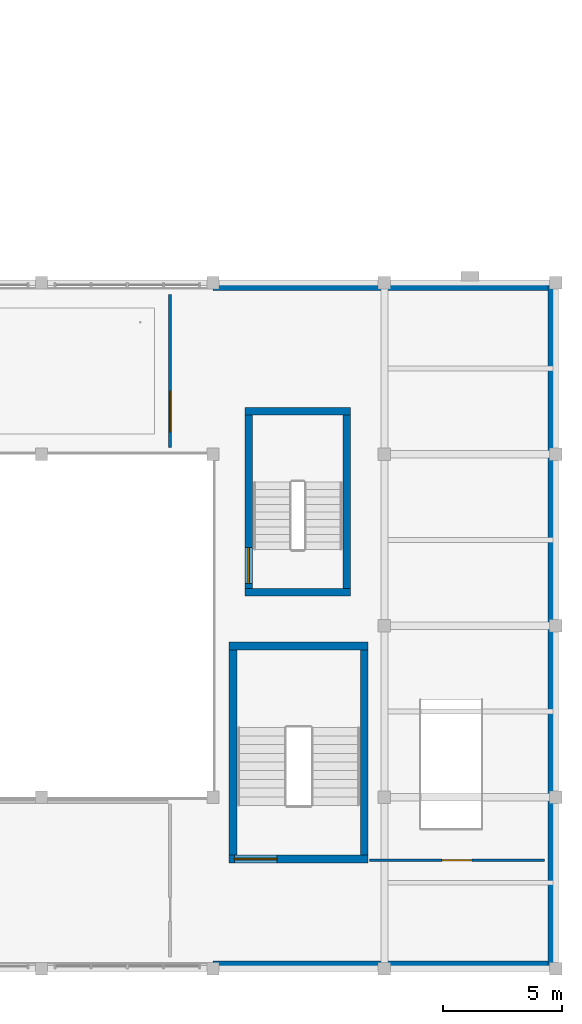
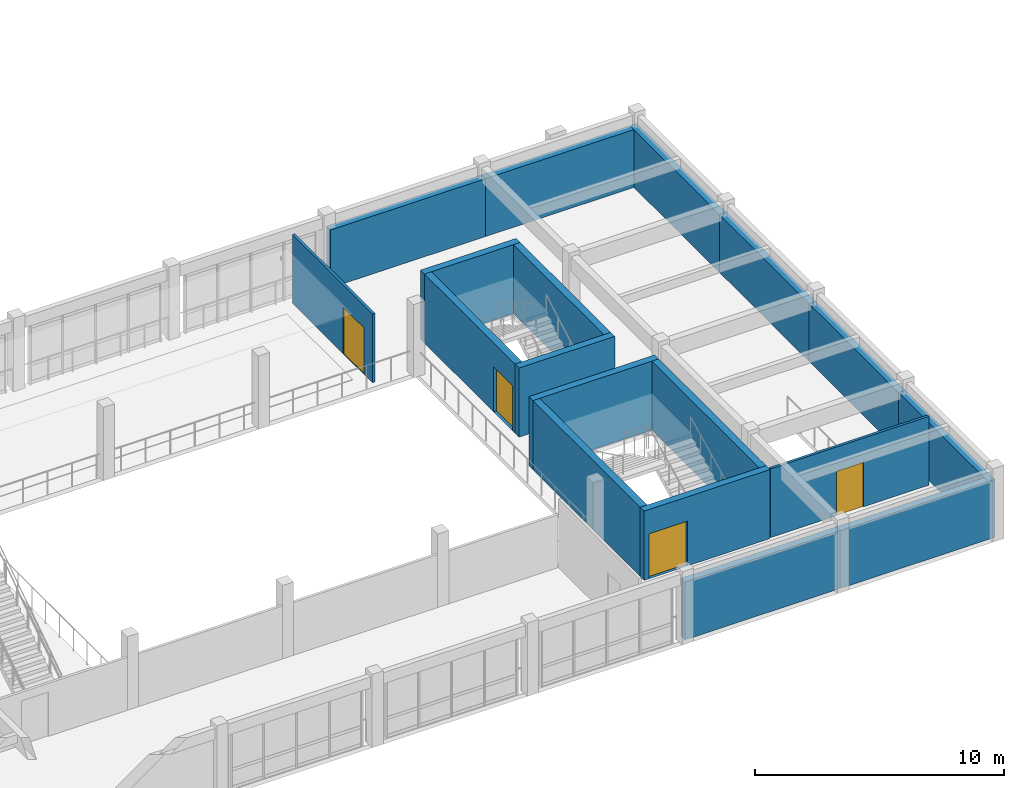
# One storey, part 53 of 99: 18 walls, 4 doors, 4 openings.
"""IFC4 building model written with IfcOpenShell, lengths in metres."""

from ifc_helpers import new_model, si_unit, direction, frame, frame_2d, origin, place, context, subcontext, project, spatial, rectangle, extrude, material, layer, layer_set, type_object, element, fill, save


model = new_model("IFC4")

# Units and contexts
model_context = context("Model", 3, precision=1e-05, world=origin(), true_north=direction((0.0, 1.0)))
body_context = subcontext(model_context, "Body", "Model", "MODEL_VIEW")
ifc_project = project(units=[si_unit("LENGTHUNIT", "METRE"), si_unit("AREAUNIT", "SQUARE_METRE"), si_unit("VOLUMEUNIT", "CUBIC_METRE"), si_unit("PLANEANGLEUNIT", "RADIAN"), si_unit("MASSUNIT", "GRAM", prefix="KILO")], contexts=[model_context])

# Site, building, storey
site_placement = place(None, origin())
site = spatial("IfcSite", under=ifc_project, at=site_placement, CompositionType="ELEMENT")
building_placement = place(site_placement, origin())
building = spatial("IfcBuilding", under=site, at=building_placement, Name="Alvorim Cloister Faculty of Sciences", CompositionType="ELEMENT")
storey_placement = place(building_placement, frame((0.0, 0.0, 12.14990234375)))
storey = spatial("IfcBuildingStorey", under=building, at=storey_placement, Name="L03", CompositionType="ELEMENT", Elevation=12.14990234375)

# Walls
ifc_material_1 = material(Name="Precast Concrete C40", Category="concrete")
ifc_layer_1 = layer(ifc_material_1, 0.320068359375)
ifc_layer_set_1 = layer_set([ifc_layer_1], Name="Precast Concrete C40")
wall_type_1 = type_object("IfcWallType", Name="WL-EXT-PC-320", PredefinedType="SOLIDWALL", material=ifc_layer_set_1)
for number, where, z_axis, x_axis, name in (
    (1, (108.0, 0.159912109375, 0.0), (0.0, 0.0, 1.0), (1.0, 0.0, 0.0), "L03 Exterior Wall WL-0201"),
    (2, (100.800048828125, 0.159912109375, 0.0), (0.0, 0.0, 1.0), (1.0, 0.0, 0.0), "L03 Exterior Wall WL-0202"),
    (3, (100.800048828125, 28.639892578125, 0.0), (0.0, 0.0, 1.0), (1.0, 0.0, 0.0), "L03 Exterior Wall WL-0207"),
    (4, (108.0, 28.639892578125, 0.0), (0.0, 0.0, 1.0), (1.0, 0.0, 0.0), "L03 Exterior Wall WL-0208"),
):
    element("IfcWall", number, at=place(storey_placement, frame(where, z_axis=z_axis, x_axis=x_axis)), inside=storey, type_object=wall_type_1, Name=name, PredefinedType="SOLIDWALL", context=body_context, shape_type="SweptSolid", body=[
        extrude(rectangle(XDim=7.199951171875, YDim=0.320068359375, at=frame_2d((3.60009765625, 0.0))), origin(), (0.0, 0.0, 1.0), 2.840087890625),
    ])

# Wall, opening, door
ifc_material_2 = material(Name="Acoustic Gypsum Stud Partition", Category="gypsum")
ifc_layer_2 = layer(ifc_material_2, 0.1201171875)
ifc_layer_set_2 = layer_set([ifc_layer_2], Name="Acoustic Gypsum Stud Partition")
wall_type_2 = type_object("IfcWallType", Name="WL-PRT-120", PredefinedType="PARTITIONING", material=ifc_layer_set_2)
wall_1_placement = place(storey_placement, frame((99.0, 21.8798828125, 0.0), z_axis=(0.0, 0.0, 1.0), x_axis=(0.0, 1.0, 0.0)))
wall_1 = element("IfcWall", 5, at=wall_1_placement, inside=storey, type_object=wall_type_2, Name="L03 Atrium L03 North Reading Gallery Partition IWL-0612", PredefinedType="PARTITIONING", context=body_context, shape_type="SweptSolid", body=[
    extrude(rectangle(XDim=6.440185546875, YDim=0.1201171875, at=frame_2d((3.22021484375, 0.0))), origin(), (0.0, 0.0, 1.0), 3.375),
])
opening_1_placement = place(wall_1_placement, frame((0.659912109375, 0.0, 0.0)))
opening_1 = element("IfcOpeningElement", 6, at=opening_1_placement, cuts=wall_1, Name="Opening D-L03-163", PredefinedType="OPENING", context=body_context, shape_type="SweptSolid", body=[
    extrude(rectangle(XDim=1.699951171875, YDim=2.280029296875, at=frame_2d((0.85009765625, 1.14013671875))), frame((0.0, 0.072021484375, 0.0), z_axis=(0.0, -1.0, 0.0), x_axis=(1.0, 0.0, 0.0)), (0.0, 0.0, 1.0), 0.14404296875),
])
ifc_material_3 = material(Name="Solid Acoustic Oak Timber", Category="wood")
door_type_1 = type_object("IfcDoorType", Name="DR-HALL-1700x2280", OperationType="NOTDEFINED", PredefinedType="DOOR", material=ifc_material_3)
door_1_placement = place(opening_1_placement, origin())
door_1 = element("IfcDoor", 7, at=door_1_placement, inside=storey, type_object=door_type_1, Name="Atrium L03 North Reading Gallery Door D-L03-163", OperationType="DOUBLE_DOOR_SINGLE_SWING", OverallHeight=2.280029296875, OverallWidth=1.699951171875, PredefinedType="DOOR", context=body_context, shape_type="SweptSolid", body=[
    extrude(rectangle(XDim=1.699951171875, YDim=2.280029296875, at=frame_2d((0.85009765625, 1.14013671875))), frame((0.0, 0.02490234375, 0.0), z_axis=(0.0, -1.0, 0.0), x_axis=(1.0, 0.0, 0.0)), (0.0, 0.0, 1.0), 0.050048828125),
])
fill(opening_1, door_1)

wall_2_placement = place(storey_placement, frame((107.3798828125, 4.550048828125, 0.0), z_axis=(0.0, 0.0, 1.0), x_axis=(1.0, 0.0, 0.0)))
wall_2 = element("IfcWall", 8, at=wall_2_placement, inside=storey, type_object=wall_type_2, Name="L03 Atrium East Seminar 306 Partition IWL-0613", PredefinedType="PARTITIONING", context=body_context, shape_type="SweptSolid", body=[
    extrude(rectangle(XDim=7.340087890625, YDim=0.1201171875, at=frame_2d((3.669921875, 0.0))), origin(), (0.0, 0.0, 1.0), 3.375),
])
opening_2_placement = place(wall_2_placement, frame((3.0400390625, 0.0, 0.0)))
opening_2 = element("IfcOpeningElement", 9, at=opening_2_placement, cuts=wall_2, Name="Opening D-L03-164", PredefinedType="OPENING", context=body_context, shape_type="SweptSolid", body=[
    extrude(rectangle(XDim=1.260009765625, YDim=2.179931640625, at=frame_2d((0.6298828125, 1.08984375))), frame((0.0, 0.072021484375, 0.0), z_axis=(0.0, -1.0, 0.0), x_axis=(1.0, 0.0, 0.0)), (0.0, 0.0, 1.0), 0.14404296875),
])
door_type_2 = type_object("IfcDoorType", Name="DR-SEM-1260x2180", OperationType="NOTDEFINED", PredefinedType="DOOR", material=ifc_material_3)
door_2_placement = place(opening_2_placement, origin())
door_2 = element("IfcDoor", 10, at=door_2_placement, inside=storey, type_object=door_type_2, Name="Atrium East Seminar 306 Door D-L03-164", OperationType="SINGLE_SWING_LEFT", OverallHeight=2.179931640625, OverallWidth=1.260009765625, PredefinedType="DOOR", context=body_context, shape_type="SweptSolid", body=[
    extrude(rectangle(XDim=1.260009765625, YDim=2.179931640625, at=frame_2d((0.6298828125, 1.08984375))), frame((0.0, 0.02490234375, 0.0), z_axis=(0.0, -1.0, 0.0), x_axis=(1.0, 0.0, 0.0)), (0.0, 0.0, 1.0), 0.050048828125),
])
fill(opening_2, door_2)

# Walls
ifc_material_4 = material(Name="Concrete C40", Category="concrete")
ifc_layer_3 = layer(ifc_material_4, 0.320068359375)
ifc_layer_set_3 = layer_set([ifc_layer_3], Name="Concrete C40")
wall_type_3 = type_object("IfcWallType", Name="WL-SHR-320", PredefinedType="SHEAR", material=ifc_layer_set_3)
for number, where, z_axis, x_axis, name in (
    (11, (102.139892578125, 15.800048828125, 0.0), (0.0, 0.0, 1.0), (1.0, 0.0, 0.0), "L03 CORE K6 Shear Wall IWL-0201"),
    (12, (102.139892578125, 23.39990234375, 0.0), (0.0, 0.0, 1.0), (1.0, 0.0, 0.0), "L03 CORE K6 Shear Wall IWL-0202"),
):
    element("IfcWall", number, at=place(storey_placement, frame(where, z_axis=z_axis, x_axis=x_axis)), inside=storey, type_object=wall_type_3, Name=name, PredefinedType="SHEAR", context=body_context, shape_type="SweptSolid", body=[
        extrude(rectangle(XDim=4.440185546875, YDim=0.320068359375, at=frame_2d((2.22021484375, 0.0))), origin(), (0.0, 0.0, 1.0), 3.39013671875),
    ])

# Wall, opening, door
wall_3_placement = place(storey_placement, frame((102.300048828125, 15.9599609375, 0.0), z_axis=(0.0, 0.0, 1.0), x_axis=(0.0, 1.0, 0.0)))
wall_3 = element("IfcWall", 13, at=wall_3_placement, inside=storey, type_object=wall_type_3, Name="L03 CORE K6 Shear Wall IWL-0203", PredefinedType="SHEAR", context=body_context, shape_type="SweptSolid", body=[
    extrude(rectangle(XDim=7.280029296875, YDim=0.320068359375, at=frame_2d((3.64013671875, 0.0))), origin(), (0.0, 0.0, 1.0), 3.39013671875),
])
opening_3_placement = place(wall_3_placement, frame((0.219970703125, 0.0, 0.0)))
opening_3 = element("IfcOpeningElement", 14, at=opening_3_placement, cuts=wall_3, Name="Opening SD-K6-L03", PredefinedType="OPENING", context=body_context, shape_type="SweptSolid", body=[
    extrude(rectangle(XDim=1.5, YDim=2.199951171875, at=frame_2d((0.75, 1.10009765625))), frame((0.0, 0.171875, 0.0), z_axis=(0.0, -1.0, 0.0), x_axis=(1.0, 0.0, 0.0)), (0.0, 0.0, 1.0), 0.343994140625),
])
ifc_material_5 = material(Name="Galvanised Fire-Rated Steel", Category="steel")
door_type_3 = type_object("IfcDoorType", Name="DR-STR-1500x2200", OperationType="NOTDEFINED", PredefinedType="DOOR", material=ifc_material_5)
door_3_placement = place(opening_3_placement, origin())
door_3 = element("IfcDoor", 15, at=door_3_placement, inside=storey, type_object=door_type_3, Name="L03 Stair ST-06 Fire Door SD-K6-L03", OperationType="DOUBLE_DOOR_SINGLE_SWING", OverallHeight=2.199951171875, OverallWidth=1.5, PredefinedType="DOOR", context=body_context, shape_type="SweptSolid", body=[
    extrude(rectangle(XDim=1.5, YDim=2.199951171875, at=frame_2d((0.75, 1.10009765625))), frame((0.0, 0.02490234375, 0.0), z_axis=(0.0, -1.0, 0.0), x_axis=(1.0, 0.0, 0.0)), (0.0, 0.0, 1.0), 0.050048828125),
])
fill(opening_3, door_3)

# Wall
wall_4_placement = place(storey_placement, frame((106.419921875, 15.9599609375, 0.0), z_axis=(0.0, 0.0, 1.0), x_axis=(0.0, 1.0, 0.0)))
element("IfcWall", 16, at=wall_4_placement, inside=storey, type_object=wall_type_3, Name="L03 CORE K6 Shear Wall IWL-0204", PredefinedType="SHEAR", context=body_context, shape_type="SweptSolid", body=[
    extrude(rectangle(XDim=7.280029296875, YDim=0.320068359375, at=frame_2d((3.64013671875, 0.0))), origin(), (0.0, 0.0, 1.0), 3.39013671875),
])

# Wall, opening, door
wall_5_placement = place(storey_placement, frame((101.47998046875, 4.60009765625, 0.0), z_axis=(0.0, 0.0, 1.0), x_axis=(1.0, 0.0, 0.0)))
wall_5 = element("IfcWall", 17, at=wall_5_placement, inside=storey, type_object=wall_type_3, Name="L03 CORE K7 Shear Wall IWL-0225", PredefinedType="SHEAR", context=body_context, shape_type="SweptSolid", body=[
    extrude(rectangle(XDim=5.840087890625, YDim=0.320068359375, at=frame_2d((2.919921875, 0.0))), origin(), (0.0, 0.0, 1.0), 3.39013671875),
])
opening_4_placement = place(wall_5_placement, frame((0.219970703125, 0.0, 0.0)))
opening_4 = element("IfcOpeningElement", 18, at=opening_4_placement, cuts=wall_5, Name="Opening SD-K7-L03", PredefinedType="OPENING", context=body_context, shape_type="SweptSolid", body=[
    extrude(rectangle(XDim=1.800048828125, YDim=2.199951171875, at=frame_2d((0.89990234375, 1.10009765625))), frame((0.0, 0.171875, 0.0), z_axis=(0.0, -1.0, 0.0), x_axis=(1.0, 0.0, 0.0)), (0.0, 0.0, 1.0), 0.343994140625),
])
door_type_4 = type_object("IfcDoorType", Name="DR-STR-1800x2200", OperationType="NOTDEFINED", PredefinedType="DOOR", material=ifc_material_5)
door_4_placement = place(opening_4_placement, origin())
door_4 = element("IfcDoor", 19, at=door_4_placement, inside=storey, type_object=door_type_4, Name="L03 Stair ST-12 Fire Door SD-K7-L03", OperationType="DOUBLE_DOOR_SINGLE_SWING", OverallHeight=2.199951171875, OverallWidth=1.800048828125, PredefinedType="DOOR", context=body_context, shape_type="SweptSolid", body=[
    extrude(rectangle(XDim=1.800048828125, YDim=2.199951171875, at=frame_2d((0.89990234375, 1.10009765625))), frame((0.0, 0.02490234375, 0.0), z_axis=(0.0, -1.0, 0.0), x_axis=(1.0, 0.0, 0.0)), (0.0, 0.0, 1.0), 0.050048828125),
])
fill(opening_4, door_4)

# Walls
wall_6_placement = place(storey_placement, frame((101.47998046875, 13.550048828125, 0.0), z_axis=(0.0, 0.0, 1.0), x_axis=(1.0, 0.0, 0.0)))
element("IfcWall", 20, at=wall_6_placement, inside=storey, type_object=wall_type_3, Name="L03 CORE K7 Shear Wall IWL-0226", PredefinedType="SHEAR", context=body_context, shape_type="SweptSolid", body=[
    extrude(rectangle(XDim=5.840087890625, YDim=0.320068359375, at=frame_2d((2.919921875, 0.0))), origin(), (0.0, 0.0, 1.0), 3.39013671875),
])
for number, where, z_axis, x_axis, name in (
    (21, (101.639892578125, 4.760009765625, 0.0), (0.0, 0.0, 1.0), (0.0, 1.0, 0.0), "L03 CORE K7 Shear Wall IWL-0227"),
    (22, (107.159912109375, 4.760009765625, 0.0), (0.0, 0.0, 1.0), (0.0, 1.0, 0.0), "L03 CORE K7 Shear Wall IWL-0228"),
):
    element("IfcWall", number, at=place(storey_placement, frame(where, z_axis=z_axis, x_axis=x_axis)), inside=storey, type_object=wall_type_3, Name=name, PredefinedType="SHEAR", context=body_context, shape_type="SweptSolid", body=[
        extrude(rectangle(XDim=8.6298828125, YDim=0.320068359375, at=frame_2d((4.31494140625, 0.0))), origin(), (0.0, 0.0, 1.0), 3.39013671875),
    ])
ifc_layer_4 = layer(ifc_material_4, 0.320068359375)
ifc_layer_set_4 = layer_set([ifc_layer_4], Name="Concrete C40")
wall_type_4 = type_object("IfcWallType", Name="WL-SHR-EXT-320", PredefinedType="SHEAR", material=ifc_layer_set_4)
wall_7_placement = place(storey_placement, frame((115.0400390625, 21.60009765625, 0.0), z_axis=(0.0, 0.0, 1.0), x_axis=(0.0, 1.0, 0.0)))
element("IfcWall", 23, at=wall_7_placement, inside=storey, type_object=wall_type_4, Name="L03 Exterior Wall WL-0197", PredefinedType="SHEAR", context=body_context, shape_type="SweptSolid", body=[
    extrude(rectangle(XDim=7.199951171875, YDim=0.320068359375, at=frame_2d((3.60009765625, 0.0))), origin(), (0.0, 0.0, 1.0), 2.840087890625),
])
wall_8_placement = place(storey_placement, frame((115.0400390625, 14.39990234375, 0.0), z_axis=(0.0, 0.0, 1.0), x_axis=(0.0, 1.0, 0.0)))
element("IfcWall", 24, at=wall_8_placement, inside=storey, type_object=wall_type_4, Name="L03 Exterior Wall WL-0198", PredefinedType="SHEAR", context=body_context, shape_type="SweptSolid", body=[
    extrude(rectangle(XDim=7.2001953125, YDim=0.320068359375, at=frame_2d((3.60009765625, 0.0))), origin(), (0.0, 0.0, 1.0), 2.840087890625),
])
for number, where, z_axis, x_axis, name in (
    (25, (115.0400390625, 7.199951171875, 0.0), (0.0, 0.0, 1.0), (0.0, 1.0, 0.0), "L03 Exterior Wall WL-0199"),
    (26, (115.0400390625, 0.0, 0.0), (0.0, 0.0, 1.0), (0.0, 1.0, 0.0), "L03 Exterior Wall WL-0200"),
):
    element("IfcWall", number, at=place(storey_placement, frame(where, z_axis=z_axis, x_axis=x_axis)), inside=storey, type_object=wall_type_4, Name=name, PredefinedType="SHEAR", context=body_context, shape_type="SweptSolid", body=[
        extrude(rectangle(XDim=7.199951171875, YDim=0.320068359375, at=frame_2d((3.60009765625, 0.0))), origin(), (0.0, 0.0, 1.0), 2.840087890625),
    ])

save(model, "model.ifc")
